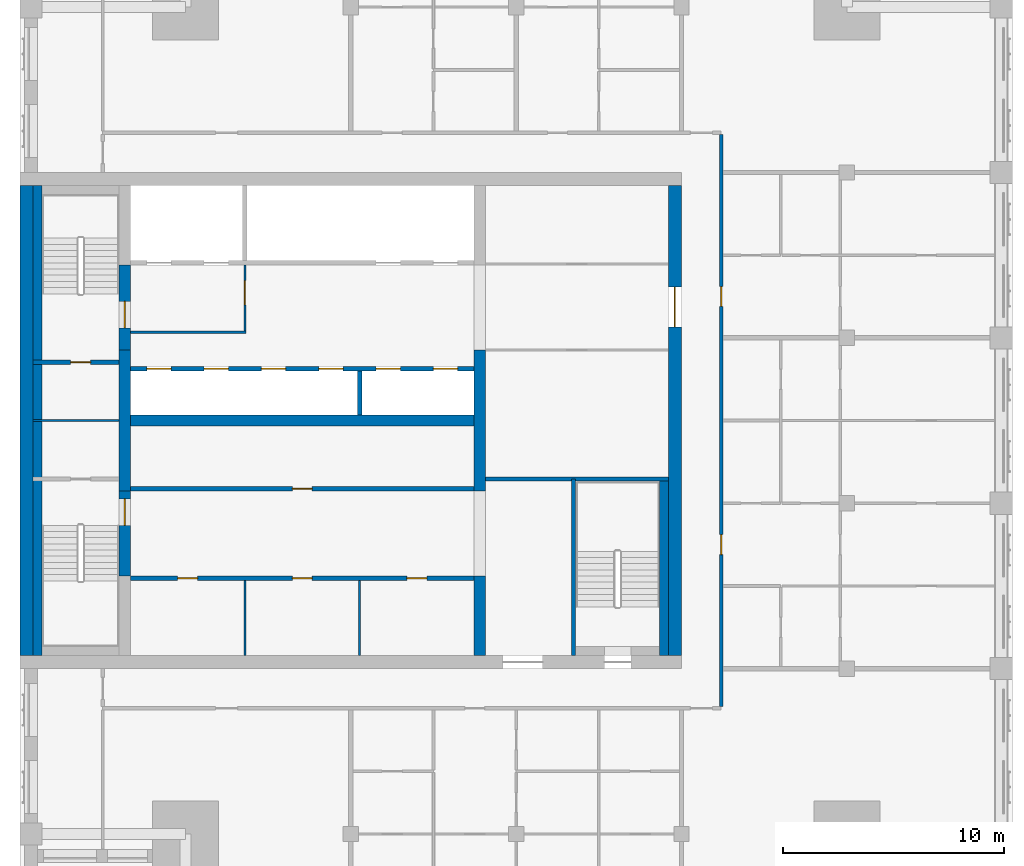
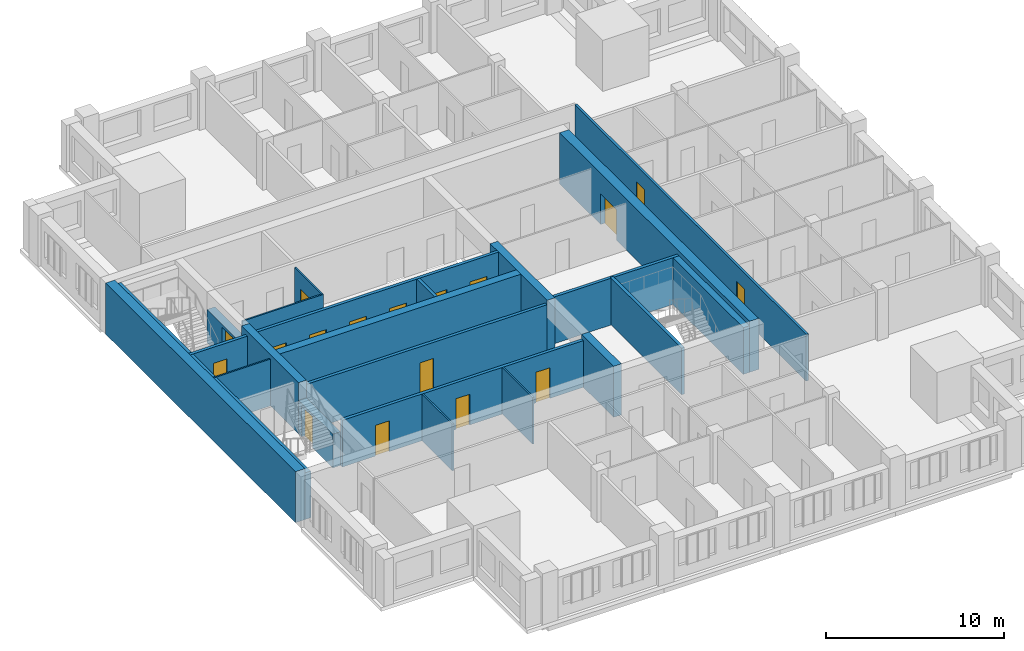
# One storey, part 4 of 10: 23 walls, 17 doors, 17 openings.
"""IFC4 building model written with IfcOpenShell, lengths in metres."""

from ifc_helpers import new_model, si_unit, direction, frame, frame_2d, origin, place, context, subcontext, project, spatial, rectangle, extrude, material, layer, layer_set, type_object, element, fill, save


model = new_model("IFC4")

# Units and contexts
model_context = context("Model", 3, precision=1e-05, world=origin(), true_north=direction((0.0, 1.0)))
body_context = subcontext(model_context, "Body", "Model", "MODEL_VIEW")
ifc_project = project(units=[si_unit("LENGTHUNIT", "METRE"), si_unit("AREAUNIT", "SQUARE_METRE"), si_unit("VOLUMEUNIT", "CUBIC_METRE"), si_unit("PLANEANGLEUNIT", "RADIAN"), si_unit("MASSUNIT", "GRAM", prefix="KILO")], contexts=[model_context])

# Site, building, storey
site_placement = place(None, origin())
site = spatial("IfcSite", under=ifc_project, at=site_placement, CompositionType="ELEMENT")
building_placement = place(site_placement, origin())
building = spatial("IfcBuilding", under=site, at=building_placement, Name="Tamorin Gate", CompositionType="ELEMENT")
storey_placement = place(building_placement, frame((0.0, 0.0, 283.699951171875)))
storey = spatial("IfcBuildingStorey", under=building, at=storey_placement, Name="L71", CompositionType="ELEMENT", Elevation=283.699951171875)

# Wall, openings, doors
ifc_material_1 = material(Name="Gypsum board partition")
ifc_layer_1 = layer(ifc_material_1, 0.14990234375)
ifc_layer_set_1 = layer_set([ifc_layer_1], Name="Corridor wall 150")
wall_type_1 = type_object("IfcWallType", Name="Corridor wall 150", PredefinedType="PARTITIONING", material=ifc_layer_set_1)
wall_1_placement = place(storey_placement, frame((61.800048828125, 58.27490234375, 0.0), z_axis=(0.0, 0.0, 1.0), x_axis=(0.0, 1.0, 0.0)))
wall_1 = element("IfcWall", 1, at=wall_1_placement, inside=storey, type_object=wall_type_1, Name="Corridor wall 150", PredefinedType="PARTITIONING", context=body_context, shape_type="SweptSolid", body=[
    extrude(rectangle(XDim=25.9501953125, YDim=0.14990234375, at=frame_2d((12.97509765625, 0.0))), origin(), (0.0, 0.0, 1.0), 3.199951171875),
])
opening_1_placement = place(wall_1_placement, frame((6.89990234375, 0.0, 0.0)))
opening_1 = element("IfcOpeningElement", 2, at=opening_1_placement, cuts=wall_1, Name="Opening DR10030", PredefinedType="OPENING", context=body_context, shape_type="SweptSolid", body=[
    extrude(rectangle(XDim=0.89990234375, YDim=2.10009765625, at=frame_2d((0.449951171875, 1.050048828125))), frame((0.0, 0.0849609375, 0.0), z_axis=(0.0, -1.0, 0.0), x_axis=(1.0, 0.0, 0.0)), (0.0, 0.0, 1.0), 0.169921875),
])
opening_2_placement = place(wall_1_placement, frame((18.14990234375, 0.0, 0.0)))
opening_2 = element("IfcOpeningElement", 3, at=opening_2_placement, cuts=wall_1, Name="Opening DR10039", PredefinedType="OPENING", context=body_context, shape_type="SweptSolid", body=[
    extrude(rectangle(XDim=0.89990234375, YDim=2.10009765625, at=frame_2d((0.449951171875, 1.050048828125))), frame((0.0, 0.0849609375, 0.0), z_axis=(0.0, -1.0, 0.0), x_axis=(1.0, 0.0, 0.0)), (0.0, 0.0, 1.0), 0.169921875),
])
ifc_material_2 = material(Name="Timber door leaf", Category="wood")
door_type_1 = type_object("IfcDoorType", Name="Door 900 x 2100 FD30S", OperationType="NOTDEFINED", PredefinedType="DOOR", material=ifc_material_2)
door_1_placement = place(opening_1_placement, origin())
door_1 = element("IfcDoor", 4, at=door_1_placement, inside=storey, type_object=door_type_1, Name="Door DR10030", OperationType="SINGLE_SWING_RIGHT", OverallHeight=2.10009765625, OverallWidth=0.89990234375, PredefinedType="DOOR", context=body_context, shape_type="SweptSolid", body=[
    extrude(rectangle(XDim=0.89990234375, YDim=2.10009765625, at=frame_2d((0.449951171875, 1.050048828125))), frame((0.0, 0.02490234375, 0.0), z_axis=(0.0, -1.0, 0.0), x_axis=(1.0, 0.0, 0.0)), (0.0, 0.0, 1.0), 0.050048828125),
])
fill(opening_1, door_1)
door_2_placement = place(opening_2_placement, origin())
door_2 = element("IfcDoor", 5, at=door_2_placement, inside=storey, type_object=door_type_1, Name="Door DR10039", OperationType="SINGLE_SWING_RIGHT", OverallHeight=2.10009765625, OverallWidth=0.89990234375, PredefinedType="DOOR", context=body_context, shape_type="SweptSolid", body=[
    extrude(rectangle(XDim=0.89990234375, YDim=2.10009765625, at=frame_2d((0.449951171875, 1.050048828125))), frame((0.0, 0.02490234375, 0.0), z_axis=(0.0, -1.0, 0.0), x_axis=(1.0, 0.0, 0.0)), (0.0, 0.0, 1.0), 0.050048828125),
])
fill(opening_2, door_2)

ifc_material_3 = material(Name="Concrete C32/40", Category="concrete")
ifc_layer_2 = layer(ifc_material_3, 0.199951171875)
ifc_layer_set_2 = layer_set([ifc_layer_2], Name="Lift lobby face wall 200 EI 120")
wall_type_2 = type_object("IfcWallType", Name="Lift lobby face wall 200 EI 120", PredefinedType="SOLIDWALL", material=ifc_layer_set_2)
wall_2_placement = place(storey_placement, frame((35.0, 73.60009765625, 0.0), z_axis=(0.0, 0.0, 1.0), x_axis=(1.0, 0.0, 0.0)))
wall_2 = element("IfcWall", 6, at=wall_2_placement, inside=storey, type_object=wall_type_2, Name="Lift lobby face wall", PredefinedType="SOLIDWALL", context=body_context, shape_type="SweptSolid", body=[
    extrude(rectangle(XDim=15.60009765625, YDim=0.199951171875, at=frame_2d((7.800048828125, 0.0))), origin(), (0.0, 0.0, 1.0), 3.5),
])
opening_3_placement = place(wall_2_placement, frame((0.75, 0.0, 0.0)))
opening_3 = element("IfcOpeningElement", 7, at=opening_3_placement, cuts=wall_2, Name="Opening LD11", PredefinedType="OPENING", context=body_context, shape_type="SweptSolid", body=[
    extrude(rectangle(XDim=1.10009765625, YDim=2.10009765625, at=frame_2d((0.550048828125, 1.050048828125))), frame((0.0, 0.10986328125, 0.0), z_axis=(0.0, -1.0, 0.0), x_axis=(1.0, 0.0, 0.0)), (0.0, 0.0, 1.0), 0.219970703125),
])
opening_4_placement = place(wall_2_placement, frame((3.35009765625, 0.0, 0.0)))
opening_4 = element("IfcOpeningElement", 8, at=opening_4_placement, cuts=wall_2, Name="Opening LD12", PredefinedType="OPENING", context=body_context, shape_type="SweptSolid", body=[
    extrude(rectangle(XDim=1.10009765625, YDim=2.10009765625, at=frame_2d((0.550048828125, 1.050048828125))), frame((0.0, 0.10986328125, 0.0), z_axis=(0.0, -1.0, 0.0), x_axis=(1.0, 0.0, 0.0)), (0.0, 0.0, 1.0), 0.219970703125),
])
opening_5_placement = place(wall_2_placement, frame((5.949951171875, 0.0, 0.0)))
opening_5 = element("IfcOpeningElement", 9, at=opening_5_placement, cuts=wall_2, Name="Opening LD13", PredefinedType="OPENING", context=body_context, shape_type="SweptSolid", body=[
    extrude(rectangle(XDim=1.10009765625, YDim=2.10009765625, at=frame_2d((0.550048828125, 1.050048828125))), frame((0.0, 0.10986328125, 0.0), z_axis=(0.0, -1.0, 0.0), x_axis=(1.0, 0.0, 0.0)), (0.0, 0.0, 1.0), 0.219970703125),
])
opening_6_placement = place(wall_2_placement, frame((8.550048828125, 0.0, 0.0)))
opening_6 = element("IfcOpeningElement", 10, at=opening_6_placement, cuts=wall_2, Name="Opening LD14", PredefinedType="OPENING", context=body_context, shape_type="SweptSolid", body=[
    extrude(rectangle(XDim=1.10009765625, YDim=2.10009765625, at=frame_2d((0.550048828125, 1.050048828125))), frame((0.0, 0.10986328125, 0.0), z_axis=(0.0, -1.0, 0.0), x_axis=(1.0, 0.0, 0.0)), (0.0, 0.0, 1.0), 0.219970703125),
])
opening_7_placement = place(wall_2_placement, frame((11.14990234375, 0.0, 0.0)))
opening_7 = element("IfcOpeningElement", 11, at=opening_7_placement, cuts=wall_2, Name="Opening LD15", PredefinedType="OPENING", context=body_context, shape_type="SweptSolid", body=[
    extrude(rectangle(XDim=1.10009765625, YDim=2.10009765625, at=frame_2d((0.550048828125, 1.050048828125))), frame((0.0, 0.10986328125, 0.0), z_axis=(0.0, -1.0, 0.0), x_axis=(1.0, 0.0, 0.0)), (0.0, 0.0, 1.0), 0.219970703125),
])
opening_8_placement = place(wall_2_placement, frame((13.75, 0.0, 0.0)))
opening_8 = element("IfcOpeningElement", 12, at=opening_8_placement, cuts=wall_2, Name="Opening LD16", PredefinedType="OPENING", context=body_context, shape_type="SweptSolid", body=[
    extrude(rectangle(XDim=1.10009765625, YDim=2.10009765625, at=frame_2d((0.550048828125, 1.050048828125))), frame((0.0, 0.10986328125, 0.0), z_axis=(0.0, -1.0, 0.0), x_axis=(1.0, 0.0, 0.0)), (0.0, 0.0, 1.0), 0.219970703125),
])
ifc_material_4 = material(Name="Stainless steel sliding door", Category="steel")
door_type_2 = type_object("IfcDoorType", Name="Lift landing door 1100 x 2100 E 90", OperationType="DOUBLE_DOOR_SLIDING", PredefinedType="DOOR", material=ifc_material_4)
door_3_placement = place(opening_3_placement, origin())
door_3 = element("IfcDoor", 13, at=door_3_placement, inside=storey, type_object=door_type_2, Name="HR1 landing door", OperationType="DOUBLE_DOOR_SLIDING", OverallHeight=2.10009765625, OverallWidth=1.10009765625, PredefinedType="DOOR", context=body_context, shape_type="SweptSolid", body=[
    extrude(rectangle(XDim=1.10009765625, YDim=2.10009765625, at=frame_2d((0.550048828125, 1.050048828125))), frame((0.0, 0.02490234375, 0.0), z_axis=(0.0, -1.0, 0.0), x_axis=(1.0, 0.0, 0.0)), (0.0, 0.0, 1.0), 0.050048828125),
])
fill(opening_3, door_3)
door_4_placement = place(opening_4_placement, origin())
door_4 = element("IfcDoor", 14, at=door_4_placement, inside=storey, type_object=door_type_2, Name="HR2 landing door", OperationType="DOUBLE_DOOR_SLIDING", OverallHeight=2.10009765625, OverallWidth=1.10009765625, PredefinedType="DOOR", context=body_context, shape_type="SweptSolid", body=[
    extrude(rectangle(XDim=1.10009765625, YDim=2.10009765625, at=frame_2d((0.550048828125, 1.050048828125))), frame((0.0, 0.02490234375, 0.0), z_axis=(0.0, -1.0, 0.0), x_axis=(1.0, 0.0, 0.0)), (0.0, 0.0, 1.0), 0.050048828125),
])
fill(opening_4, door_4)
door_5_placement = place(opening_5_placement, origin())
door_5 = element("IfcDoor", 15, at=door_5_placement, inside=storey, type_object=door_type_2, Name="HR3 landing door", OperationType="DOUBLE_DOOR_SLIDING", OverallHeight=2.10009765625, OverallWidth=1.10009765625, PredefinedType="DOOR", context=body_context, shape_type="SweptSolid", body=[
    extrude(rectangle(XDim=1.10009765625, YDim=2.10009765625, at=frame_2d((0.550048828125, 1.050048828125))), frame((0.0, 0.02490234375, 0.0), z_axis=(0.0, -1.0, 0.0), x_axis=(1.0, 0.0, 0.0)), (0.0, 0.0, 1.0), 0.050048828125),
])
fill(opening_5, door_5)
door_6_placement = place(opening_6_placement, origin())
door_6 = element("IfcDoor", 16, at=door_6_placement, inside=storey, type_object=door_type_2, Name="HR4 landing door", OperationType="DOUBLE_DOOR_SLIDING", OverallHeight=2.10009765625, OverallWidth=1.10009765625, PredefinedType="DOOR", context=body_context, shape_type="SweptSolid", body=[
    extrude(rectangle(XDim=1.10009765625, YDim=2.10009765625, at=frame_2d((0.550048828125, 1.050048828125))), frame((0.0, 0.02490234375, 0.0), z_axis=(0.0, -1.0, 0.0), x_axis=(1.0, 0.0, 0.0)), (0.0, 0.0, 1.0), 0.050048828125),
])
fill(opening_6, door_6)
door_7_placement = place(opening_7_placement, origin())
door_7 = element("IfcDoor", 17, at=door_7_placement, inside=storey, type_object=door_type_2, Name="HR5 landing door", OperationType="DOUBLE_DOOR_SLIDING", OverallHeight=2.10009765625, OverallWidth=1.10009765625, PredefinedType="DOOR", context=body_context, shape_type="SweptSolid", body=[
    extrude(rectangle(XDim=1.10009765625, YDim=2.10009765625, at=frame_2d((0.550048828125, 1.050048828125))), frame((0.0, 0.02490234375, 0.0), z_axis=(0.0, -1.0, 0.0), x_axis=(1.0, 0.0, 0.0)), (0.0, 0.0, 1.0), 0.050048828125),
])
fill(opening_7, door_7)
door_8_placement = place(opening_8_placement, origin())
door_8 = element("IfcDoor", 18, at=door_8_placement, inside=storey, type_object=door_type_2, Name="HR6 landing door", OperationType="DOUBLE_DOOR_SLIDING", OverallHeight=2.10009765625, OverallWidth=1.10009765625, PredefinedType="DOOR", context=body_context, shape_type="SweptSolid", body=[
    extrude(rectangle(XDim=1.10009765625, YDim=2.10009765625, at=frame_2d((0.550048828125, 1.050048828125))), frame((0.0, 0.02490234375, 0.0), z_axis=(0.0, -1.0, 0.0), x_axis=(1.0, 0.0, 0.0)), (0.0, 0.0, 1.0), 0.050048828125),
])
fill(opening_8, door_8)

# Walls
ifc_layer_3 = layer(ifc_material_3, 0.199951171875)
ifc_layer_set_3 = layer_set([ifc_layer_3], Name="Lift shaft wall 200 EI 120")
wall_type_3 = type_object("IfcWallType", Name="Lift shaft wall 200 EI 120", PredefinedType="SOLIDWALL", material=ifc_layer_set_3)
wall_3_placement = place(storey_placement, frame((45.39990234375, 71.5, 0.0), z_axis=(0.0, 0.0, 1.0), x_axis=(0.0, 1.0, 0.0)))
element("IfcWall", 19, at=wall_3_placement, inside=storey, type_object=wall_type_3, Name="Lift shaft wall", PredefinedType="SOLIDWALL", context=body_context, shape_type="SweptSolid", body=[
    extrude(rectangle(XDim=2.0, YDim=0.199951171875, at=frame_2d((1.0, 0.0))), origin(), (0.0, 0.0, 1.0), 3.5),
])
ifc_material_5 = material(Name="Fire-rated gypsum board partition")
ifc_layer_4 = layer(ifc_material_5, 0.10009765625)
ifc_layer_set_4 = layer_set([ifc_layer_4], Name="Lobby wall 100 EI 60")
wall_type_4 = type_object("IfcWallType", Name="Lobby wall 100 EI 60", PredefinedType="PARTITIONING", material=ifc_layer_set_4)
wall_4_placement = place(storey_placement, frame((35.0, 75.25, 0.0), z_axis=(0.0, 0.0, 1.0), x_axis=(1.0, 0.0, 0.0)))
element("IfcWall", 20, at=wall_4_placement, inside=storey, type_object=wall_type_4, Name="Firefighting lobby wall", PredefinedType="PARTITIONING", context=body_context, shape_type="SweptSolid", body=[
    extrude(rectangle(XDim=5.25, YDim=0.10009765625, at=frame_2d((2.625, 0.0))), origin(), (0.0, 0.0, 1.0), 3.199951171875),
])

# Wall, opening, door
wall_5_placement = place(storey_placement, frame((40.199951171875, 75.300048828125, 0.0), z_axis=(0.0, 0.0, 1.0), x_axis=(0.0, 1.0, 0.0)))
wall_5 = element("IfcWall", 21, at=wall_5_placement, inside=storey, type_object=wall_type_4, Name="Firefighting lobby wall", PredefinedType="PARTITIONING", context=body_context, shape_type="SweptSolid", body=[
    extrude(rectangle(XDim=3.0, YDim=0.10009765625, at=frame_2d((1.5, 0.0))), origin(), (0.0, 0.0, 1.0), 3.199951171875),
])
opening_9_placement = place(wall_5_placement, frame((1.199951171875, 0.0, 0.0)))
opening_9 = element("IfcOpeningElement", 22, at=opening_9_placement, cuts=wall_5, Name="Opening DF1", PredefinedType="OPENING", context=body_context, shape_type="SweptSolid", body=[
    extrude(rectangle(XDim=1.10009765625, YDim=2.10009765625, at=frame_2d((0.550048828125, 1.050048828125))), frame((0.0, 0.06005859375, 0.0), z_axis=(0.0, -1.0, 0.0), x_axis=(1.0, 0.0, 0.0)), (0.0, 0.0, 1.0), 0.1201171875),
])
ifc_material_6 = material(Name="Steel fire door", Category="steel")
door_type_3 = type_object("IfcDoorType", Name="Firefighting lobby door 1100 x 2100 EI 90", OperationType="SINGLE_SWING_LEFT", PredefinedType="DOOR", material=ifc_material_6)
door_9_placement = place(opening_9_placement, origin())
door_9 = element("IfcDoor", 23, at=door_9_placement, inside=storey, type_object=door_type_3, Name="Firefighting lobby door", OperationType="SINGLE_SWING_LEFT", OverallHeight=2.10009765625, OverallWidth=1.10009765625, PredefinedType="DOOR", context=body_context, shape_type="SweptSolid", body=[
    extrude(rectangle(XDim=1.10009765625, YDim=2.10009765625, at=frame_2d((0.550048828125, 1.050048828125))), frame((0.0, 0.02490234375, 0.0), z_axis=(0.0, -1.0, 0.0), x_axis=(1.0, 0.0, 0.0)), (0.0, 0.0, 1.0), 0.050048828125),
])
fill(opening_9, door_9)

# Walls
ifc_material_7 = material(Name="Concrete C50/60", Category="concrete")
ifc_layer_5 = layer(ifc_material_7, 0.5)
ifc_layer_set_5 = layer_set([ifc_layer_5], Name="RC core internal wall 500 C50/60")
wall_type_5 = type_object("IfcWallType", Name="RC core internal wall 500 C50/60", PredefinedType="SHEAR", material=ifc_layer_set_5)
wall_6_placement = place(storey_placement, frame((35.0, 71.25, 0.0), z_axis=(0.0, 0.0, 1.0), x_axis=(1.0, 0.0, 0.0)))
element("IfcWall", 24, at=wall_6_placement, inside=storey, type_object=wall_type_5, Name="Core spine wall L71", PredefinedType="SHEAR", context=body_context, shape_type="SweptSolid", body=[
    extrude(rectangle(XDim=15.60009765625, YDim=0.5, at=frame_2d((7.800048828125, 0.0))), origin(), (0.0, 0.0, 1.0), 3.5),
])
wall_7_placement = place(storey_placement, frame((34.75, 68.050048828125, 0.0), z_axis=(0.0, 0.0, 1.0), x_axis=(0.0, 1.0, 0.0)))
element("IfcWall", 25, at=wall_7_placement, inside=storey, type_object=wall_type_5, Name="Core cross wall L71", PredefinedType="SHEAR", context=body_context, shape_type="SweptSolid", body=[
    extrude(rectangle(XDim=6.39990234375, YDim=0.5, at=frame_2d((3.199951171875, 0.0))), origin(), (0.0, 0.0, 1.0), 3.5),
])
wall_8_placement = place(storey_placement, frame((50.85009765625, 60.60009765625, 0.0), z_axis=(0.0, 0.0, 1.0), x_axis=(0.0, 1.0, 0.0)))
element("IfcWall", 26, at=wall_8_placement, inside=storey, type_object=wall_type_5, Name="Core cross wall L71", PredefinedType="SHEAR", context=body_context, shape_type="SweptSolid", body=[
    extrude(rectangle(XDim=3.599853515625, YDim=0.5, at=frame_2d((1.7998046875, 0.0))), origin(), (0.0, 0.0, 1.0), 3.5),
])
wall_9_placement = place(storey_placement, frame((50.85009765625, 68.050048828125, 0.0), z_axis=(0.0, 0.0, 1.0), x_axis=(0.0, 1.0, 0.0)))
element("IfcWall", 27, at=wall_9_placement, inside=storey, type_object=wall_type_5, Name="Core cross wall L71", PredefinedType="SHEAR", context=body_context, shape_type="SweptSolid", body=[
    extrude(rectangle(XDim=6.39990234375, YDim=0.5, at=frame_2d((3.199951171875, 0.0))), origin(), (0.0, 0.0, 1.0), 3.5),
])
ifc_layer_6 = layer(ifc_material_7, 0.60009765625)
ifc_layer_set_6 = layer_set([ifc_layer_6], Name="RC core wall 600 C50/60")
wall_type_6 = type_object("IfcWallType", Name="RC core wall 600 C50/60", PredefinedType="SHEAR", material=ifc_layer_set_6)
wall_10_placement = place(storey_placement, frame((30.300048828125, 60.60009765625, 0.0), z_axis=(0.0, 0.0, 1.0), x_axis=(0.0, 1.0, 0.0)))
element("IfcWall", 28, at=wall_10_placement, inside=storey, type_object=wall_type_6, Name="Core wall L71", PredefinedType="SHEAR", context=body_context, shape_type="SweptSolid", body=[
    extrude(rectangle(XDim=21.2998046875, YDim=0.60009765625, at=frame_2d((10.64990234375, 0.0))), origin(), (0.0, 0.0, 1.0), 3.5),
])

# Wall, opening, door
wall_11_placement = place(storey_placement, frame((59.699951171875, 60.60009765625, 0.0), z_axis=(0.0, 0.0, 1.0), x_axis=(0.0, 1.0, 0.0)))
wall_11 = element("IfcWall", 29, at=wall_11_placement, inside=storey, type_object=wall_type_6, Name="Core wall L71", PredefinedType="SHEAR", context=body_context, shape_type="SweptSolid", body=[
    extrude(rectangle(XDim=21.2998046875, YDim=0.60009765625, at=frame_2d((10.64990234375, 0.0))), origin(), (0.0, 0.0, 1.0), 3.5),
])
opening_10_placement = place(wall_11_placement, frame((14.89990234375, 0.0, 0.0)))
opening_10 = element("IfcOpeningElement", 30, at=opening_10_placement, cuts=wall_11, Name="Opening DE1", PredefinedType="OPENING", context=body_context, shape_type="SweptSolid", body=[
    extrude(rectangle(XDim=1.800048828125, YDim=2.10009765625, at=frame_2d((0.89990234375, 1.050048828125))), frame((0.0, 0.31005859375, 0.0), z_axis=(0.0, -1.0, 0.0), x_axis=(1.0, 0.0, 0.0)), (0.0, 0.0, 1.0), 0.6201171875),
])
door_type_4 = type_object("IfcDoorType", Name="Lobby exit double door 1800 x 2100 EI 60", OperationType="DOUBLE_DOOR_SINGLE_SWING", PredefinedType="DOOR", material=ifc_material_6)
door_10_placement = place(opening_10_placement, origin())
door_10 = element("IfcDoor", 31, at=door_10_placement, inside=storey, type_object=door_type_4, Name="Lift lobby B exit door", OperationType="DOUBLE_DOOR_SINGLE_SWING", OverallHeight=2.10009765625, OverallWidth=1.800048828125, PredefinedType="DOOR", context=body_context, shape_type="SweptSolid", body=[
    extrude(rectangle(XDim=1.800048828125, YDim=2.10009765625, at=frame_2d((0.89990234375, 1.050048828125))), frame((0.0, 0.02490234375, 0.0), z_axis=(0.0, -1.0, 0.0), x_axis=(1.0, 0.0, 0.0)), (0.0, 0.0, 1.0), 0.050048828125),
])
fill(opening_10, door_10)

# Wall
ifc_layer_7 = layer(ifc_material_5, 0.10009765625)
ifc_layer_set_7 = layer_set([ifc_layer_7], Name="Riser partition 100 EI 120")
wall_type_7 = type_object("IfcWallType", Name="Riser partition 100 EI 120", PredefinedType="PARTITIONING", material=ifc_layer_set_7)
wall_12_placement = place(storey_placement, frame((30.60009765625, 71.25, 0.0), z_axis=(0.0, 0.0, 1.0), x_axis=(1.0, 0.0, 0.0)))
element("IfcWall", 32, at=wall_12_placement, inside=storey, type_object=wall_type_7, Name="Riser partition", PredefinedType="PARTITIONING", context=body_context, shape_type="SweptSolid", body=[
    extrude(rectangle(XDim=3.89990234375, YDim=0.10009765625, at=frame_2d((1.949951171875, 0.0))), origin(), (0.0, 0.0, 1.0), 3.199951171875),
])

# Wall, openings, doors
ifc_layer_8 = layer(ifc_material_1, 0.199951171875)
ifc_layer_set_8 = layer_set([ifc_layer_8], Name="Service room face wall 200 EI 60")
wall_type_8 = type_object("IfcWallType", Name="Service room face wall 200 EI 60", PredefinedType="PARTITIONING", material=ifc_layer_set_8)
wall_13_placement = place(storey_placement, frame((35.0, 64.10009765625, 0.0), z_axis=(0.0, 0.0, 1.0), x_axis=(1.0, 0.0, 0.0)))
wall_13 = element("IfcWall", 33, at=wall_13_placement, inside=storey, type_object=wall_type_8, Name="Service room face wall", PredefinedType="PARTITIONING", context=body_context, shape_type="SweptSolid", body=[
    extrude(rectangle(XDim=15.60009765625, YDim=0.199951171875, at=frame_2d((7.800048828125, 0.0))), origin(), (0.0, 0.0, 1.0), 3.199951171875),
])
opening_11_placement = place(wall_13_placement, frame((2.14990234375, 0.0, 0.0)))
opening_11 = element("IfcOpeningElement", 34, at=opening_11_placement, cuts=wall_13, Name="Opening DK1", PredefinedType="OPENING", context=body_context, shape_type="SweptSolid", body=[
    extrude(rectangle(XDim=0.89990234375, YDim=2.10009765625, at=frame_2d((0.449951171875, 1.050048828125))), frame((0.0, 0.10986328125, 0.0), z_axis=(0.0, -1.0, 0.0), x_axis=(1.0, 0.0, 0.0)), (0.0, 0.0, 1.0), 0.219970703125),
])
opening_12_placement = place(wall_13_placement, frame((7.35009765625, 0.0, 0.0)))
opening_12 = element("IfcOpeningElement", 35, at=opening_12_placement, cuts=wall_13, Name="Opening DK1", PredefinedType="OPENING", context=body_context, shape_type="SweptSolid", body=[
    extrude(rectangle(XDim=0.89990234375, YDim=2.10009765625, at=frame_2d((0.449951171875, 1.050048828125))), frame((0.0, 0.10986328125, 0.0), z_axis=(0.0, -1.0, 0.0), x_axis=(1.0, 0.0, 0.0)), (0.0, 0.0, 1.0), 0.219970703125),
])
opening_13_placement = place(wall_13_placement, frame((12.550048828125, 0.0, 0.0)))
opening_13 = element("IfcOpeningElement", 36, at=opening_13_placement, cuts=wall_13, Name="Opening DK1", PredefinedType="OPENING", context=body_context, shape_type="SweptSolid", body=[
    extrude(rectangle(XDim=0.89990234375, YDim=2.10009765625, at=frame_2d((0.449951171875, 1.050048828125))), frame((0.0, 0.10986328125, 0.0), z_axis=(0.0, -1.0, 0.0), x_axis=(1.0, 0.0, 0.0)), (0.0, 0.0, 1.0), 0.219970703125),
])
ifc_material_8 = material(Name="Timber fire door", Category="wood")
door_type_5 = type_object("IfcDoorType", Name="Service room door 900 x 2100 EI 60", OperationType="SINGLE_SWING_LEFT", PredefinedType="DOOR", material=ifc_material_8)
door_11_placement = place(opening_11_placement, origin())
door_11 = element("IfcDoor", 37, at=door_11_placement, inside=storey, type_object=door_type_5, Name="Door Linen store", OperationType="SINGLE_SWING_LEFT", OverallHeight=2.10009765625, OverallWidth=0.89990234375, PredefinedType="DOOR", context=body_context, shape_type="SweptSolid", body=[
    extrude(rectangle(XDim=0.89990234375, YDim=2.10009765625, at=frame_2d((0.449951171875, 1.050048828125))), frame((0.0, 0.02490234375, 0.0), z_axis=(0.0, -1.0, 0.0), x_axis=(1.0, 0.0, 0.0)), (0.0, 0.0, 1.0), 0.050048828125),
])
fill(opening_11, door_11)
door_12_placement = place(opening_12_placement, origin())
door_12 = element("IfcDoor", 38, at=door_12_placement, inside=storey, type_object=door_type_5, Name="Door Club store", OperationType="SINGLE_SWING_RIGHT", OverallHeight=2.10009765625, OverallWidth=0.89990234375, PredefinedType="DOOR", context=body_context, shape_type="SweptSolid", body=[
    extrude(rectangle(XDim=0.89990234375, YDim=2.10009765625, at=frame_2d((0.449951171875, 1.050048828125))), frame((0.0, 0.02490234375, 0.0), z_axis=(0.0, -1.0, 0.0), x_axis=(1.0, 0.0, 0.0)), (0.0, 0.0, 1.0), 0.050048828125),
])
fill(opening_12, door_12)
door_13_placement = place(opening_13_placement, origin())
door_13 = element("IfcDoor", 39, at=door_13_placement, inside=storey, type_object=door_type_5, Name="Door Wine store", OperationType="SINGLE_SWING_LEFT", OverallHeight=2.10009765625, OverallWidth=0.89990234375, PredefinedType="DOOR", context=body_context, shape_type="SweptSolid", body=[
    extrude(rectangle(XDim=0.89990234375, YDim=2.10009765625, at=frame_2d((0.449951171875, 1.050048828125))), frame((0.0, 0.02490234375, 0.0), z_axis=(0.0, -1.0, 0.0), x_axis=(1.0, 0.0, 0.0)), (0.0, 0.0, 1.0), 0.050048828125),
])
fill(opening_13, door_13)

# Wall, opening, door
wall_14_placement = place(storey_placement, frame((35.0, 68.14990234375, 0.0), z_axis=(0.0, 0.0, 1.0), x_axis=(1.0, 0.0, 0.0)))
wall_14 = element("IfcWall", 40, at=wall_14_placement, inside=storey, type_object=wall_type_8, Name="Service room face wall", PredefinedType="PARTITIONING", context=body_context, shape_type="SweptSolid", body=[
    extrude(rectangle(XDim=15.60009765625, YDim=0.199951171875, at=frame_2d((7.800048828125, 0.0))), origin(), (0.0, 0.0, 1.0), 3.199951171875),
])
opening_14_placement = place(wall_14_placement, frame((7.35009765625, 0.0, 0.0)))
opening_14 = element("IfcOpeningElement", 41, at=opening_14_placement, cuts=wall_14, Name="Opening DK1", PredefinedType="OPENING", context=body_context, shape_type="SweptSolid", body=[
    extrude(rectangle(XDim=0.89990234375, YDim=2.10009765625, at=frame_2d((0.449951171875, 1.050048828125))), frame((0.0, 0.10986328125, 0.0), z_axis=(0.0, -1.0, 0.0), x_axis=(1.0, 0.0, 0.0)), (0.0, 0.0, 1.0), 0.219970703125),
])
door_14_placement = place(opening_14_placement, origin())
door_14 = element("IfcDoor", 42, at=door_14_placement, inside=storey, type_object=door_type_5, Name="Door Housekeeping and maintenance store", OperationType="SINGLE_SWING_LEFT", OverallHeight=2.10009765625, OverallWidth=0.89990234375, PredefinedType="DOOR", context=body_context, shape_type="SweptSolid", body=[
    extrude(rectangle(XDim=0.89990234375, YDim=2.10009765625, at=frame_2d((0.449951171875, 1.050048828125))), frame((0.0, 0.02490234375, 0.0), z_axis=(0.0, -1.0, 0.0), x_axis=(1.0, 0.0, 0.0)), (0.0, 0.0, 1.0), 0.050048828125),
])
fill(opening_14, door_14)

# Walls
ifc_layer_9 = layer(ifc_material_1, 0.10009765625)
ifc_layer_set_9 = layer_set([ifc_layer_9], Name="Service room partition 100 EI 60")
wall_type_9 = type_object("IfcWallType", Name="Service room partition 100 EI 60", PredefinedType="PARTITIONING", material=ifc_layer_set_9)
for number, where, z_axis, x_axis, name in (
    (43, (40.199951171875, 60.60009765625, 0.0), (0.0, 0.0, 1.0), (0.0, 1.0, 0.0), "Service room partition"),
    (44, (45.39990234375, 60.60009765625, 0.0), (0.0, 0.0, 1.0), (0.0, 1.0, 0.0), "Service room partition"),
):
    element("IfcWall", number, at=place(storey_placement, frame(where, z_axis=z_axis, x_axis=x_axis)), inside=storey, type_object=wall_type_9, Name=name, PredefinedType="PARTITIONING", context=body_context, shape_type="SweptSolid", body=[
        extrude(rectangle(XDim=3.39990234375, YDim=0.10009765625, at=frame_2d((1.699951171875, 0.0))), origin(), (0.0, 0.0, 1.0), 3.199951171875),
    ])

# Wall, opening, door
ifc_material_9 = material(Name="Concrete C40/50", Category="concrete")
ifc_layer_10 = layer(ifc_material_9, 0.199951171875)
ifc_layer_set_10 = layer_set([ifc_layer_10], Name="Stair enclosure wall 200 EI 120 C40/50")
wall_type_10 = type_object("IfcWallType", Name="Stair enclosure wall 200 EI 120 C40/50", PredefinedType="SOLIDWALL", material=ifc_layer_set_10)
wall_15_placement = place(storey_placement, frame((30.60009765625, 73.89990234375, 0.0), z_axis=(0.0, 0.0, 1.0), x_axis=(1.0, 0.0, 0.0)))
wall_15 = element("IfcWall", 45, at=wall_15_placement, inside=storey, type_object=wall_type_10, Name="Stair enclosure wall", PredefinedType="SOLIDWALL", context=body_context, shape_type="SweptSolid", body=[
    extrude(rectangle(XDim=3.89990234375, YDim=0.199951171875, at=frame_2d((1.949951171875, 0.0))), origin(), (0.0, 0.0, 1.0), 3.199951171875),
])
opening_15_placement = place(wall_15_placement, frame((1.699951171875, 0.0, 0.0)))
opening_15 = element("IfcOpeningElement", 46, at=opening_15_placement, cuts=wall_15, Name="Opening DR1", PredefinedType="OPENING", context=body_context, shape_type="SweptSolid", body=[
    extrude(rectangle(XDim=0.89990234375, YDim=2.10009765625, at=frame_2d((0.449951171875, 1.050048828125))), frame((0.0, 0.10986328125, 0.0), z_axis=(0.0, -1.0, 0.0), x_axis=(1.0, 0.0, 0.0)), (0.0, 0.0, 1.0), 0.219970703125),
])
door_type_6 = type_object("IfcDoorType", Name="Riser access door 900 x 2100 EI 120", OperationType="SINGLE_SWING_LEFT", PredefinedType="DOOR", material=ifc_material_6)
door_15_placement = place(opening_15_placement, origin())
door_15 = element("IfcDoor", 47, at=door_15_placement, inside=storey, type_object=door_type_6, Name="Communications riser door", OperationType="SINGLE_SWING_RIGHT", OverallHeight=2.10009765625, OverallWidth=0.89990234375, PredefinedType="DOOR", context=body_context, shape_type="SweptSolid", body=[
    extrude(rectangle(XDim=0.89990234375, YDim=2.10009765625, at=frame_2d((0.449951171875, 1.050048828125))), frame((0.0, 0.02490234375, 0.0), z_axis=(0.0, -1.0, 0.0), x_axis=(1.0, 0.0, 0.0)), (0.0, 0.0, 1.0), 0.050048828125),
])
fill(opening_15, door_15)

# Walls
wall_16_placement = place(storey_placement, frame((55.10009765625, 60.60009765625, 0.0), z_axis=(0.0, 0.0, 1.0), x_axis=(0.0, 1.0, 0.0)))
element("IfcWall", 48, at=wall_16_placement, inside=storey, type_object=wall_type_10, Name="Stair enclosure wall", PredefinedType="SOLIDWALL", context=body_context, shape_type="SweptSolid", body=[
    extrude(rectangle(XDim=8.0, YDim=0.199951171875, at=frame_2d((4.0, 0.0))), origin(), (0.0, 0.0, 1.0), 3.199951171875),
])
wall_17_placement = place(storey_placement, frame((51.10009765625, 68.60009765625, 0.0), z_axis=(0.0, 0.0, 1.0), x_axis=(1.0, 0.0, 0.0)))
element("IfcWall", 49, at=wall_17_placement, inside=storey, type_object=wall_type_10, Name="Stair enclosure wall", PredefinedType="SOLIDWALL", context=body_context, shape_type="SweptSolid", body=[
    extrude(rectangle(XDim=8.2998046875, YDim=0.199951171875, at=frame_2d((4.14990234375, 0.0))), origin(), (0.0, 0.0, 1.0), 3.199951171875),
])
ifc_layer_11 = layer(ifc_material_7, 0.39990234375)
ifc_layer_set_11 = layer_set([ifc_layer_11], Name="Stair lining wall 400 EI 120 C50/60")
wall_type_11 = type_object("IfcWallType", Name="Stair lining wall 400 EI 120 C50/60", PredefinedType="SOLIDWALL", material=ifc_layer_set_11)
wall_18_placement = place(storey_placement, frame((30.800048828125, 60.60009765625, 0.0), z_axis=(0.0, 0.0, 1.0), x_axis=(0.0, 1.0, 0.0)))
element("IfcWall", 50, at=wall_18_placement, inside=storey, type_object=wall_type_11, Name="Stair lining wall", PredefinedType="SOLIDWALL", context=body_context, shape_type="SweptSolid", body=[
    extrude(rectangle(XDim=21.2998046875, YDim=0.39990234375, at=frame_2d((10.64990234375, 0.0))), origin(), (0.0, 0.0, 1.0), 3.199951171875),
])
wall_19_placement = place(storey_placement, frame((59.199951171875, 60.60009765625, 0.0), z_axis=(0.0, 0.0, 1.0), x_axis=(0.0, 1.0, 0.0)))
element("IfcWall", 51, at=wall_19_placement, inside=storey, type_object=wall_type_11, Name="Stair lining wall", PredefinedType="SOLIDWALL", context=body_context, shape_type="SweptSolid", body=[
    extrude(rectangle(XDim=7.89990234375, YDim=0.39990234375, at=frame_2d((3.949951171875, 0.0))), origin(), (0.0, 0.0, 1.0), 3.199951171875),
])

# Wall, opening, door
ifc_layer_12 = layer(ifc_material_3, 0.5)
ifc_layer_set_12 = layer_set([ifc_layer_12], Name="Stair lobby infill wall 500 EI 120")
wall_type_12 = type_object("IfcWallType", Name="Stair lobby infill wall 500 EI 120", PredefinedType="SOLIDWALL", material=ifc_layer_set_12)
wall_20_placement = place(storey_placement, frame((34.75, 64.199951171875, 0.0), z_axis=(0.0, 0.0, 1.0), x_axis=(0.0, 1.0, 0.0)))
wall_20 = element("IfcWall", 52, at=wall_20_placement, inside=storey, type_object=wall_type_12, Name="Stair lobby infill wall", PredefinedType="SOLIDWALL", context=body_context, shape_type="SweptSolid", body=[
    extrude(rectangle(XDim=3.85009765625, YDim=0.5, at=frame_2d((1.925048828125, 0.0))), origin(), (0.0, 0.0, 1.0), 2.300048828125),
])
opening_16_placement = place(wall_20_placement, frame((2.300048828125, 0.0, 0.0)))
opening_16 = element("IfcOpeningElement", 53, at=opening_16_placement, cuts=wall_20, Name="Opening DS1", PredefinedType="OPENING", context=body_context, shape_type="SweptSolid", body=[
    extrude(rectangle(XDim=1.199951171875, YDim=2.10009765625, at=frame_2d((0.60009765625, 1.050048828125))), frame((0.0, 0.260009765625, 0.0), z_axis=(0.0, -1.0, 0.0), x_axis=(1.0, 0.0, 0.0)), (0.0, 0.0, 1.0), 0.52001953125),
])
door_type_7 = type_object("IfcDoorType", Name="Stair door 1200 x 2100 EI 90", OperationType="SINGLE_SWING_LEFT", PredefinedType="DOOR", material=ifc_material_6)
door_16_placement = place(opening_16_placement, origin())
door_16 = element("IfcDoor", 54, at=door_16_placement, inside=storey, type_object=door_type_7, Name="ST1 door", OperationType="SINGLE_SWING_LEFT", OverallHeight=2.10009765625, OverallWidth=1.199951171875, PredefinedType="DOOR", context=body_context, shape_type="SweptSolid", body=[
    extrude(rectangle(XDim=1.199951171875, YDim=2.10009765625, at=frame_2d((0.60009765625, 1.050048828125))), frame((0.0, 0.02490234375, 0.0), z_axis=(0.0, -1.0, 0.0), x_axis=(1.0, 0.0, 0.0)), (0.0, 0.0, 1.0), 0.050048828125),
])
fill(opening_16, door_16)

wall_21_placement = place(storey_placement, frame((34.75, 74.449951171875, 0.0), z_axis=(0.0, 0.0, 1.0), x_axis=(0.0, 1.0, 0.0)))
wall_21 = element("IfcWall", 55, at=wall_21_placement, inside=storey, type_object=wall_type_12, Name="Stair lobby infill wall", PredefinedType="SOLIDWALL", context=body_context, shape_type="SweptSolid", body=[
    extrude(rectangle(XDim=3.85009765625, YDim=0.5, at=frame_2d((1.925048828125, 0.0))), origin(), (0.0, 0.0, 1.0), 2.300048828125),
])
opening_17_placement = place(wall_21_placement, frame((1.0, 0.0, 0.0)))
opening_17 = element("IfcOpeningElement", 56, at=opening_17_placement, cuts=wall_21, Name="Opening DS1", PredefinedType="OPENING", context=body_context, shape_type="SweptSolid", body=[
    extrude(rectangle(XDim=1.199951171875, YDim=2.10009765625, at=frame_2d((0.60009765625, 1.050048828125))), frame((0.0, 0.260009765625, 0.0), z_axis=(0.0, -1.0, 0.0), x_axis=(1.0, 0.0, 0.0)), (0.0, 0.0, 1.0), 0.52001953125),
])
door_17_placement = place(opening_17_placement, origin())
door_17 = element("IfcDoor", 57, at=door_17_placement, inside=storey, type_object=door_type_7, Name="ST2 door", OperationType="SINGLE_SWING_RIGHT", OverallHeight=2.10009765625, OverallWidth=1.199951171875, PredefinedType="DOOR", context=body_context, shape_type="SweptSolid", body=[
    extrude(rectangle(XDim=1.199951171875, YDim=2.10009765625, at=frame_2d((0.60009765625, 1.050048828125))), frame((0.0, 0.02490234375, 0.0), z_axis=(0.0, -1.0, 0.0), x_axis=(1.0, 0.0, 0.0)), (0.0, 0.0, 1.0), 0.050048828125),
])
fill(opening_17, door_17)

save(model, "model.ifc")
